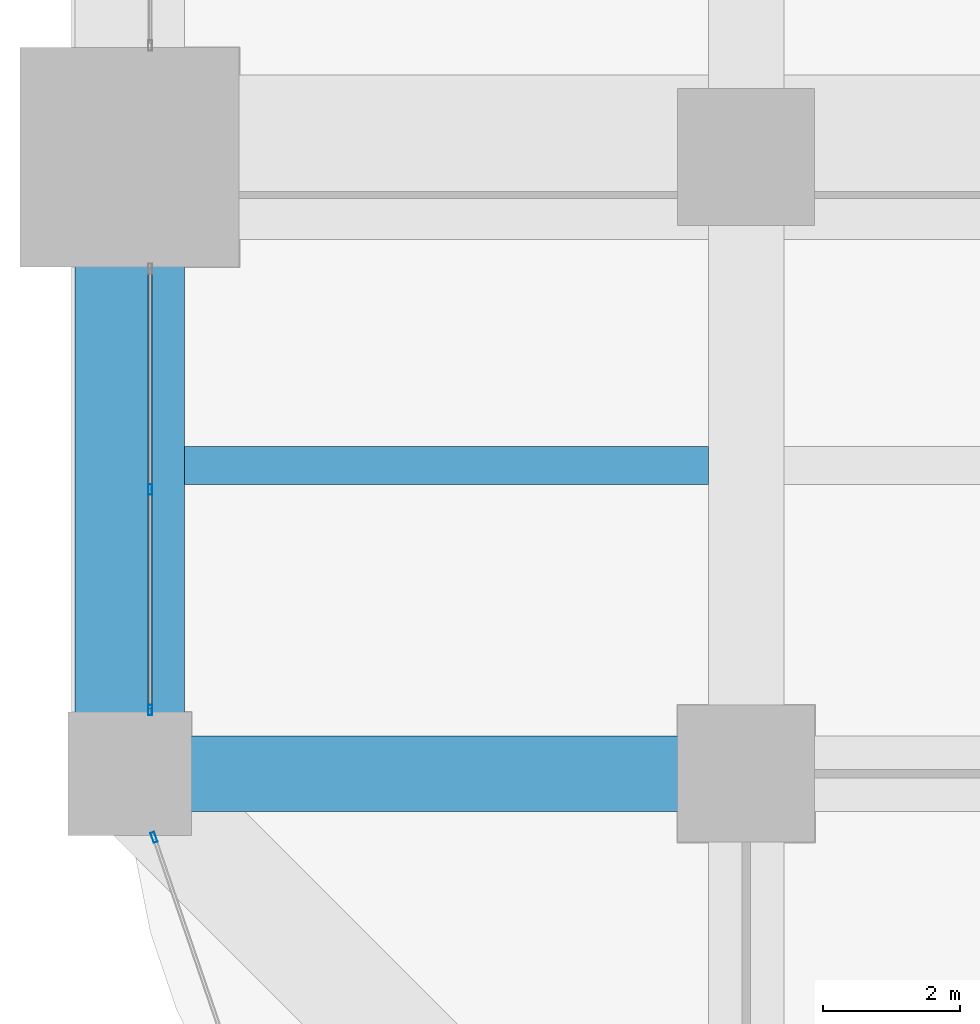
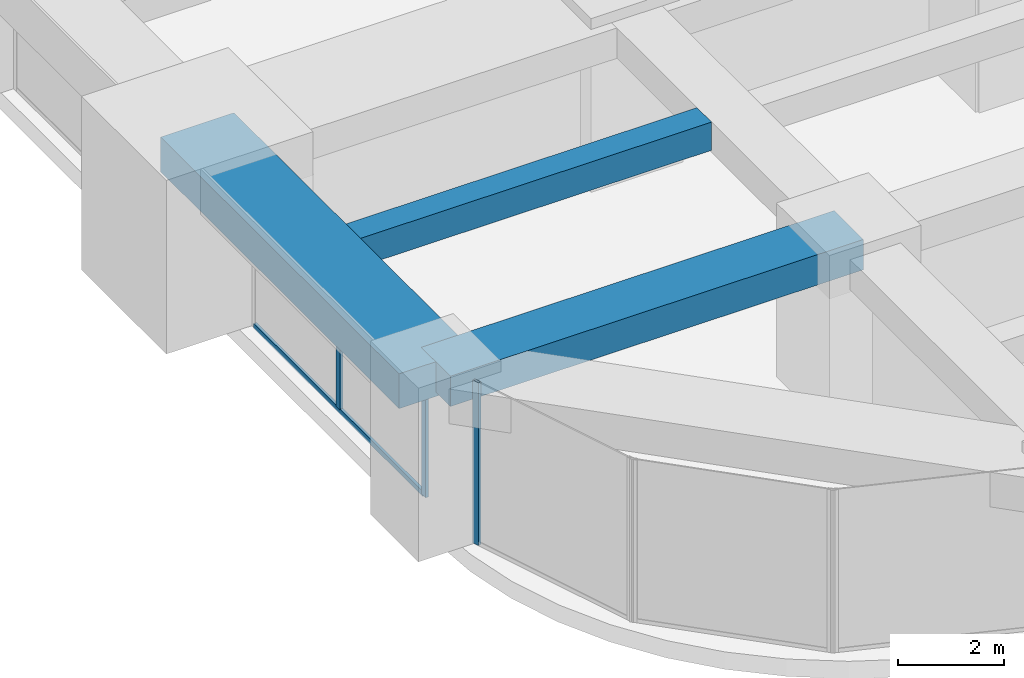
# One storey, part 4 of 35: 4 members, 3 beams, 2 elements without a shape of their own.
"""IFC4 building model written with IfcOpenShell, lengths in metres."""

from ifc_helpers import new_model, si_unit, direction, frame, origin, origin_2d, place, context, subcontext, project, spatial, rectangle, hollow_rectangle, extrude, material, material_profile, profile_set, type_object, element, aggregate, save


model = new_model("IFC4")

# Units and contexts
model_context = context("Model", 3, precision=1e-05, world=origin(), true_north=direction((0.0, 1.0)))
body_context = subcontext(model_context, "Body", "Model", "MODEL_VIEW")
ifc_project = project(units=[si_unit("LENGTHUNIT", "METRE"), si_unit("AREAUNIT", "SQUARE_METRE"), si_unit("VOLUMEUNIT", "CUBIC_METRE"), si_unit("PLANEANGLEUNIT", "RADIAN"), si_unit("MASSUNIT", "GRAM", prefix="KILO")], contexts=[model_context])

# Site, building, storey
site_placement = place(None, origin())
site = spatial("IfcSite", under=ifc_project, at=site_placement, CompositionType="ELEMENT")
building_placement = place(site_placement, origin())
building = spatial("IfcBuilding", under=site, at=building_placement, Name="Zorevar Civic Tower", CompositionType="ELEMENT")
storey_placement = place(building_placement, frame((0.0, 0.0, 162.199951171875)))
storey = spatial("IfcBuildingStorey", under=building, at=storey_placement, Name="L39", CompositionType="ELEMENT", Elevation=162.199951171875)

# Beams
ifc_material_1 = material(Name="Concrete C50/60", Category="concrete")
ifc_material_profile_1 = material_profile(ifc_material_1, rectangle(XDim=1.10009765625, YDim=0.699951171875, at=origin_2d()), Name="RC 1100x700")
ifc_profile_set_1 = profile_set([ifc_material_profile_1], Name="Concrete C50/60")
beam_type_1 = type_object("IfcBeamType", Name="Beam RC 1100x700", PredefinedType="BEAM", material=ifc_profile_set_1)
beam_1_placement = place(storey_placement, frame((0.0, 9.0, 3.400146484375), z_axis=(1.0, 0.0, 0.0), x_axis=(0.0, 1.0, 0.0)))
element("IfcBeam", 1, at=beam_1_placement, inside=storey, type_object=beam_type_1, Name="Girder L40", PredefinedType="BEAM", context=body_context, shape_type="SweptSolid", body=[
    extrude(rectangle(XDim=1.10009765625, YDim=0.699951171875, at=origin_2d()), origin(), (0.0, 0.0, 1.0), 9.0),
])
ifc_material_2 = material(Name="Concrete C50/60", Category="concrete")
ifc_material_profile_2 = material_profile(ifc_material_2, rectangle(XDim=0.550048828125, YDim=0.64990234375, at=origin_2d()), Name="RC 550x650")
ifc_profile_set_2 = profile_set([ifc_material_profile_2], Name="Concrete C50/60")
beam_type_2 = type_object("IfcBeamType", Name="Beam RC 550x650", PredefinedType="BEAM", material=ifc_profile_set_2)
beam_2_placement = place(storey_placement, frame((0.800048828125, 13.5, 3.425048828125), z_axis=(1.0, 0.0, 0.0), x_axis=(0.0, 1.0, 0.0)))
element("IfcBeam", 2, at=beam_2_placement, inside=storey, type_object=beam_type_2, Name="Secondary beam L40", PredefinedType="BEAM", context=body_context, shape_type="SweptSolid", body=[
    extrude(rectangle(XDim=0.550048828125, YDim=0.64990234375, at=origin_2d()), origin(), (0.0, 0.0, 1.0), 7.64990234375),
])

# Curtain wall, members
ifc_material_3 = material(Name="Dark grey solar-control glass in black aluminium frame", Category="aluminium")
curtain_wall_type = type_object("IfcCurtainWallType", Name="Curtain wall CW4 high zone", PredefinedType="NOTDEFINED", material=ifc_material_3)
curtain_wall_1_placement = place(storey_placement, origin())
curtain_wall_1 = element("IfcCurtainWall", 3, at=curtain_wall_1_placement, inside=storey, type_object=curtain_wall_type, Name="CW4 L39", PredefinedType="NOTDEFINED")
ifc_material_4 = material(Name="Aluminium, black anodised", Category="aluminium")
ifc_material_profile_3 = material_profile(ifc_material_4, hollow_rectangle(XDim=0.06005859375, YDim=0.14990234375, WallThickness=0.00390625, at=origin_2d()), Name="AL 150x60x4")
ifc_profile_set_3 = profile_set([ifc_material_profile_3], Name="Aluminium, black anodised")
member_type_1 = type_object("IfcMemberType", Name="CW4 mullion AL 150x60x4", PredefinedType="MULLION", material=ifc_profile_set_3)
member_1_placement = place(storey_placement, frame((0.300048828125, 9.929931640625, 0.0), z_axis=(0.0, 0.0, 1.0), x_axis=(-1.0, 0.0, 0.0)))
member_1 = element("IfcMember", 4, at=member_1_placement, type_object=member_type_1, Name="CW4 mullion 1", PredefinedType="MULLION", context=body_context, shape_type="SweptSolid", body=[
    extrude(hollow_rectangle(XDim=0.06005859375, YDim=0.14990234375, WallThickness=0.00390625, at=origin_2d()), origin(), (0.0, 0.0, 1.0), 2.949951171875),
])
member_2_placement = place(storey_placement, frame((0.300048828125, 13.14990234375, 0.06005859375), z_axis=(0.0, 0.0, 1.0), x_axis=(-1.0, 0.0, 0.0)))
member_2 = element("IfcMember", 5, at=member_2_placement, type_object=member_type_1, Name="CW4 mullion 2", PredefinedType="MULLION", context=body_context, shape_type="SweptSolid", body=[
    extrude(hollow_rectangle(XDim=0.06005859375, YDim=0.14990234375, WallThickness=0.00390625, at=origin_2d()), origin(), (0.0, 0.0, 1.0), 2.889892578125),
])

# Curtain wall, member
curtain_wall_2_placement = place(storey_placement, origin())
curtain_wall_2 = element("IfcCurtainWall", 6, at=curtain_wall_2_placement, inside=storey, type_object=curtain_wall_type, Name="CW4 L39", PredefinedType="NOTDEFINED")
member_3_placement = place(storey_placement, frame((0.3564453125, 8.071533203125, 0.0), z_axis=(0.0, 0.0, 1.0), x_axis=(0.945755772794, 0.324878466857, 0.0)))
member_3 = element("IfcMember", 7, at=member_3_placement, type_object=member_type_1, Name="CW4 mullion 1", PredefinedType="MULLION", context=body_context, shape_type="SweptSolid", body=[
    extrude(hollow_rectangle(XDim=0.06005859375, YDim=0.14990234375, WallThickness=0.00390625, at=origin_2d()), origin(), (0.0, 0.0, 1.0), 3.75),
])
aggregate(curtain_wall_2, [member_3])

# Member
ifc_material_5 = material(Name="Aluminium, black anodised", Category="aluminium")
ifc_material_profile_4 = material_profile(ifc_material_5, hollow_rectangle(XDim=0.06005859375, YDim=0.1201171875, WallThickness=0.0029296875, at=origin_2d()), Name="AL 120x60x3")
ifc_profile_set_4 = profile_set([ifc_material_profile_4], Name="Aluminium, black anodised")
member_type_2 = type_object("IfcMemberType", Name="CW4 transom AL 120x60x3", PredefinedType="USERDEFINED", material=ifc_profile_set_4)
member_4_placement = place(storey_placement, frame((0.300048828125, 9.9599609375, 0.030029296875), z_axis=(0.0, 1.0, 0.0), x_axis=(-1.0, 0.0, 0.0)))
member_4 = element("IfcMember", 8, at=member_4_placement, type_object=member_type_2, Name="CW4 sill transom", ObjectType="TRANSOM", PredefinedType="USERDEFINED", context=body_context, shape_type="SweptSolid", body=[
    extrude(hollow_rectangle(XDim=0.06005859375, YDim=0.1201171875, WallThickness=0.0029296875, at=origin_2d()), origin(), (0.0, 0.0, 1.0), 6.380126953125),
])

aggregate(curtain_wall_1, [member_1, member_2, member_4])

# Beam
ifc_material_6 = material(Name="Concrete C50/60", Category="concrete")
ifc_material_profile_5 = material_profile(ifc_material_6, rectangle(XDim=1.60009765625, YDim=0.800048828125, at=origin_2d()), Name="RC 1600x800")
ifc_profile_set_5 = profile_set([ifc_material_profile_5], Name="Concrete C50/60")
beam_type_3 = type_object("IfcBeamType", Name="Edge beam RC 1600x800", PredefinedType="SPANDREL", material=ifc_profile_set_5)
beam_3_placement = place(storey_placement, frame((0.0, 9.0, 3.35009765625), z_axis=(0.0, 1.0, 0.0), x_axis=(-1.0, 0.0, 0.0)))
element("IfcBeam", 9, at=beam_3_placement, inside=storey, type_object=beam_type_3, Name="Edge beam L40", PredefinedType="SPANDREL", context=body_context, shape_type="SweptSolid", body=[
    extrude(rectangle(XDim=1.60009765625, YDim=0.800048828125, at=origin_2d()), origin(), (0.0, 0.0, 1.0), 9.0),
])

save(model, "model.ifc")
